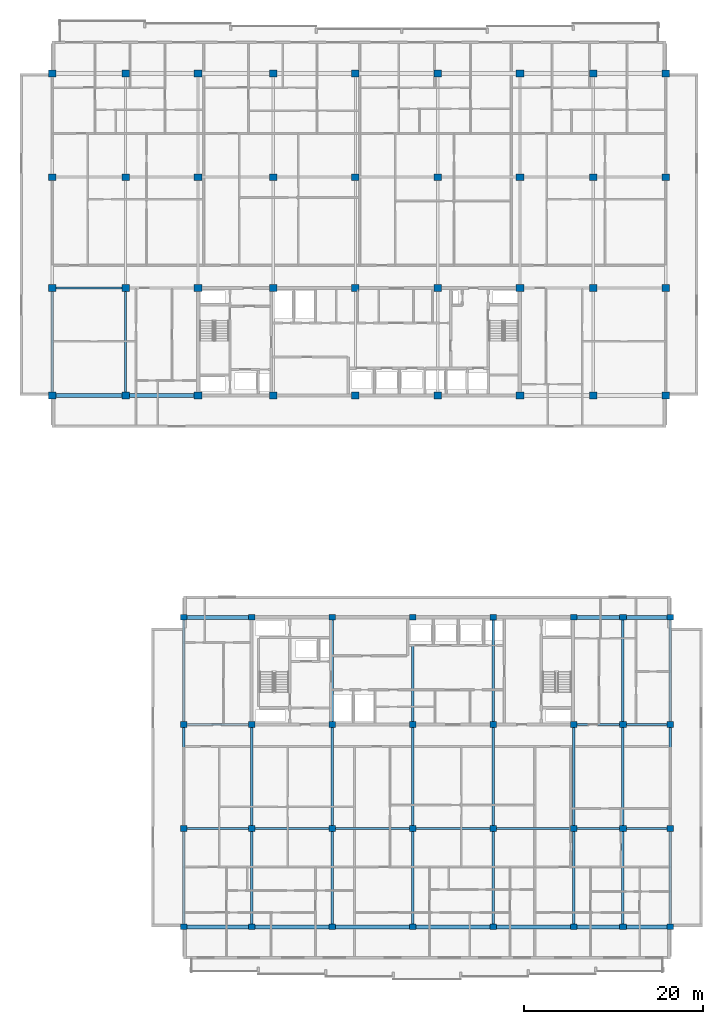
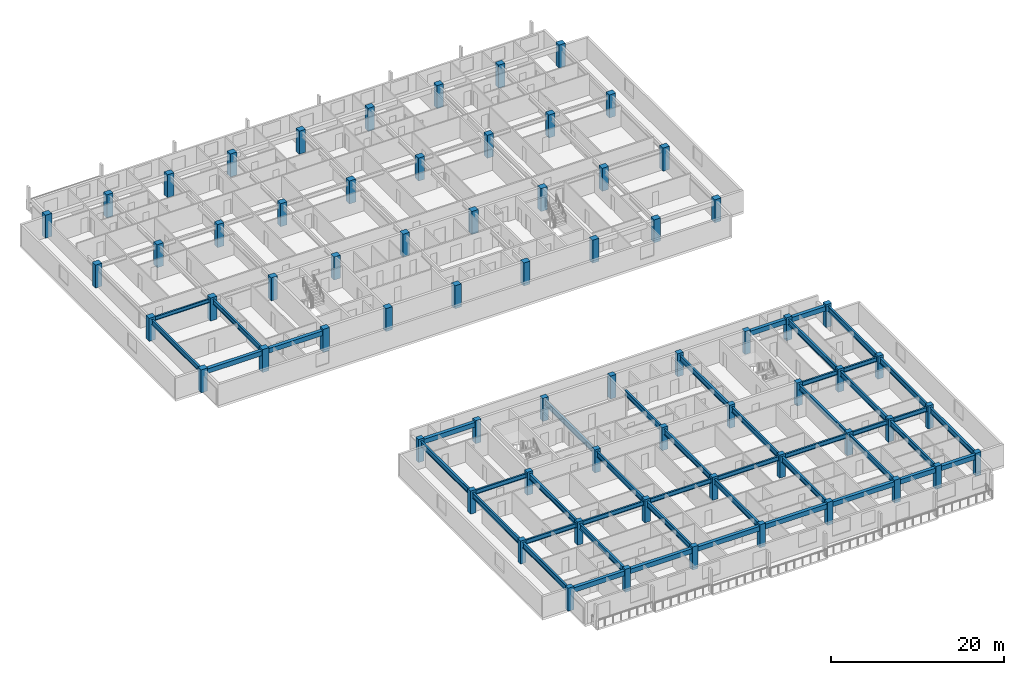
# One storey, part 1 of 23: 68 columns, 47 beams.
"""IFC4 building model written with IfcOpenShell, lengths in metres."""

from ifc_helpers import new_model, si_unit, direction, frame, origin, origin_2d, place, context, subcontext, project, spatial, rectangle, i_section, extrude, material, material_profile, profile_set, type_object, element, save


model = new_model("IFC4")

# Units and contexts
model_context = context("Model", 3, precision=1e-05, world=origin(), true_north=direction((0.0, 1.0)))
body_context = subcontext(model_context, "Body", "Model", "MODEL_VIEW")
ifc_project = project(units=[si_unit("LENGTHUNIT", "METRE"), si_unit("AREAUNIT", "SQUARE_METRE"), si_unit("VOLUMEUNIT", "CUBIC_METRE"), si_unit("PLANEANGLEUNIT", "RADIAN"), si_unit("MASSUNIT", "GRAM", prefix="KILO")], contexts=[model_context])

# Site, building, storey
site_placement = place(None, origin())
site = spatial("IfcSite", under=ifc_project, at=site_placement, CompositionType="ELEMENT")
building_placement = place(site_placement, origin())
building = spatial("IfcBuilding", under=site, at=building_placement, Name="Korimba Cascade Residences", CompositionType="ELEMENT")
storey_placement = place(building_placement, frame((0.0, 0.0, 162.10009765625)))
storey = spatial("IfcBuildingStorey", under=building, at=storey_placement, Name="L46", CompositionType="ELEMENT", Elevation=162.10009765625)

# Columns
ifc_material_1 = material(Name="Concrete C50/60", Category="concrete")
ifc_material_profile_1 = material_profile(ifc_material_1, rectangle(XDim=0.75, YDim=0.64990234375, at=origin_2d()), Name="Concrete C50/60")
ifc_profile_set_1 = profile_set([ifc_material_profile_1], Name="Concrete C50/60")
column_type_1 = type_object("IfcColumnType", Name="COL-RC-750", PredefinedType="COLUMN", material=ifc_profile_set_1)
for number, where, z_axis, x_axis, name in (
    (1, (74.5, -4.199951171875, 0.0), (0.0, 0.0, 1.0), (1.0, 0.0, 0.0), "L46 Tower 2 Column 1.1"),
    (2, (74.5, 6.800048828125, 0.0), (0.0, 0.0, 1.0), (1.0, 0.0, 0.0), "L46 Tower 2 Column 1.2"),
    (3, (74.5, 18.39990234375, 0.0), (0.0, 0.0, 1.0), (1.0, 0.0, 0.0), "L46 Tower 2 Column 1.3"),
    (4, (74.5, 30.39990234375, 0.0), (0.0, 0.0, 1.0), (1.0, 0.0, 0.0), "L46 Tower 2 Column 1.4"),
    (5, (82.10009765625, -4.199951171875, 0.0), (0.0, 0.0, 1.0), (1.0, 0.0, 0.0), "L46 Tower 2 Column 2.1"),
    (6, (82.10009765625, 6.800048828125, 0.0), (0.0, 0.0, 1.0), (1.0, 0.0, 0.0), "L46 Tower 2 Column 2.2"),
    (7, (82.10009765625, 18.39990234375, 0.0), (0.0, 0.0, 1.0), (1.0, 0.0, 0.0), "L46 Tower 2 Column 2.3"),
    (8, (82.10009765625, 30.39990234375, 0.0), (0.0, 0.0, 1.0), (1.0, 0.0, 0.0), "L46 Tower 2 Column 2.4"),
    (9, (91.10009765625, -4.199951171875, 0.0), (0.0, 0.0, 1.0), (1.0, 0.0, 0.0), "L46 Tower 2 Column 3.1"),
    (10, (91.10009765625, 6.800048828125, 0.0), (0.0, 0.0, 1.0), (1.0, 0.0, 0.0), "L46 Tower 2 Column 3.2"),
    (11, (91.10009765625, 18.39990234375, 0.0), (0.0, 0.0, 1.0), (1.0, 0.0, 0.0), "L46 Tower 2 Column 3.3"),
    (12, (91.10009765625, 30.39990234375, 0.0), (0.0, 0.0, 1.0), (1.0, 0.0, 0.0), "L46 Tower 2 Column 3.4"),
    (13, (100.10009765625, -4.199951171875, 0.0), (0.0, 0.0, 1.0), (1.0, 0.0, 0.0), "L46 Tower 2 Column 4.1"),
    (14, (100.10009765625, 6.800048828125, 0.0), (0.0, 0.0, 1.0), (1.0, 0.0, 0.0), "L46 Tower 2 Column 4.2"),
    (15, (100.10009765625, 18.39990234375, 0.0), (0.0, 0.0, 1.0), (1.0, 0.0, 0.0), "L46 Tower 2 Column 4.3"),
    (16, (100.10009765625, 30.39990234375, 0.0), (0.0, 0.0, 1.0), (1.0, 0.0, 0.0), "L46 Tower 2 Column 4.4"),
    (17, (109.10009765625, -4.199951171875, 0.0), (0.0, 0.0, 1.0), (1.0, 0.0, 0.0), "L46 Tower 2 Column 5.1"),
    (18, (109.10009765625, 6.800048828125, 0.0), (0.0, 0.0, 1.0), (1.0, 0.0, 0.0), "L46 Tower 2 Column 5.2"),
    (19, (109.10009765625, 18.39990234375, 0.0), (0.0, 0.0, 1.0), (1.0, 0.0, 0.0), "L46 Tower 2 Column 5.3"),
    (20, (109.10009765625, 30.39990234375, 0.0), (0.0, 0.0, 1.0), (1.0, 0.0, 0.0), "L46 Tower 2 Column 5.4"),
    (21, (118.10009765625, -4.199951171875, 0.0), (0.0, 0.0, 1.0), (1.0, 0.0, 0.0), "L46 Tower 2 Column 6.1"),
    (22, (118.10009765625, 6.800048828125, 0.0), (0.0, 0.0, 1.0), (1.0, 0.0, 0.0), "L46 Tower 2 Column 6.2"),
    (23, (118.10009765625, 18.39990234375, 0.0), (0.0, 0.0, 1.0), (1.0, 0.0, 0.0), "L46 Tower 2 Column 6.3"),
    (24, (118.10009765625, 30.39990234375, 0.0), (0.0, 0.0, 1.0), (1.0, 0.0, 0.0), "L46 Tower 2 Column 6.4"),
    (25, (123.60009765625, -4.199951171875, 0.0), (0.0, 0.0, 1.0), (1.0, 0.0, 0.0), "L46 Tower 2 Column 7.1"),
    (26, (123.60009765625, 6.800048828125, 0.0), (0.0, 0.0, 1.0), (1.0, 0.0, 0.0), "L46 Tower 2 Column 7.2"),
    (27, (123.60009765625, 18.39990234375, 0.0), (0.0, 0.0, 1.0), (1.0, 0.0, 0.0), "L46 Tower 2 Column 7.3"),
    (28, (123.60009765625, 30.39990234375, 0.0), (0.0, 0.0, 1.0), (1.0, 0.0, 0.0), "L46 Tower 2 Column 7.4"),
    (29, (128.89990234375, -4.199951171875, 0.0), (0.0, 0.0, 1.0), (1.0, 0.0, 0.0), "L46 Tower 2 Column 8.1"),
    (30, (128.89990234375, 6.800048828125, 0.0), (0.0, 0.0, 1.0), (1.0, 0.0, 0.0), "L46 Tower 2 Column 8.2"),
    (31, (128.89990234375, 18.39990234375, 0.0), (0.0, 0.0, 1.0), (1.0, 0.0, 0.0), "L46 Tower 2 Column 8.3"),
    (32, (128.89990234375, 30.39990234375, 0.0), (0.0, 0.0, 1.0), (1.0, 0.0, 0.0), "L46 Tower 2 Column 8.4"),
):
    element("IfcColumn", number, at=place(storey_placement, frame(where, z_axis=z_axis, x_axis=x_axis)), inside=storey, type_object=column_type_1, Name=name, PredefinedType="COLUMN", context=body_context, shape_type="SweptSolid", body=[
        extrude(rectangle(XDim=0.75, YDim=0.64990234375, at=origin_2d()), origin(), (0.0, 0.0, 1.0), 3.25),
    ])
ifc_material_2 = material(Name="Concrete C65/80", Category="concrete")
ifc_material_profile_2 = material_profile(ifc_material_2, rectangle(XDim=0.85009765625, YDim=0.75, at=origin_2d()), Name="Concrete C65/80")
ifc_profile_set_2 = profile_set([ifc_material_profile_2], Name="Concrete C65/80")
column_type_2 = type_object("IfcColumnType", Name="COL-RC-850", PredefinedType="COLUMN", material=ifc_profile_set_2)
for number, where, z_axis, x_axis, name in (
    (33, (59.800048828125, 55.199951171875, 0.0), (0.0, 0.0, 1.0), (1.0, 0.0, 0.0), "L46 Tower 1 Column 1.1"),
    (34, (59.800048828125, 67.199951171875, 0.0), (0.0, 0.0, 1.0), (1.0, 0.0, 0.0), "L46 Tower 1 Column 1.2"),
    (35, (59.800048828125, 79.60009765625, 0.0), (0.0, 0.0, 1.0), (1.0, 0.0, 0.0), "L46 Tower 1 Column 1.3"),
    (36, (59.800048828125, 91.199951171875, 0.0), (0.0, 0.0, 1.0), (1.0, 0.0, 0.0), "L46 Tower 1 Column 1.4"),
    (37, (68.0, 55.199951171875, 0.0), (0.0, 0.0, 1.0), (1.0, 0.0, 0.0), "L46 Tower 1 Column 2.1"),
    (38, (68.0, 67.199951171875, 0.0), (0.0, 0.0, 1.0), (1.0, 0.0, 0.0), "L46 Tower 1 Column 2.2"),
    (39, (68.0, 79.60009765625, 0.0), (0.0, 0.0, 1.0), (1.0, 0.0, 0.0), "L46 Tower 1 Column 2.3"),
    (40, (68.0, 91.199951171875, 0.0), (0.0, 0.0, 1.0), (1.0, 0.0, 0.0), "L46 Tower 1 Column 2.4"),
    (41, (76.10009765625, 55.199951171875, 0.0), (0.0, 0.0, 1.0), (1.0, 0.0, 0.0), "L46 Tower 1 Column 3.1"),
    (42, (76.10009765625, 67.199951171875, 0.0), (0.0, 0.0, 1.0), (1.0, 0.0, 0.0), "L46 Tower 1 Column 3.2"),
    (43, (76.10009765625, 79.60009765625, 0.0), (0.0, 0.0, 1.0), (1.0, 0.0, 0.0), "L46 Tower 1 Column 3.3"),
    (44, (76.10009765625, 91.199951171875, 0.0), (0.0, 0.0, 1.0), (1.0, 0.0, 0.0), "L46 Tower 1 Column 3.4"),
    (45, (84.5, 55.199951171875, 0.0), (0.0, 0.0, 1.0), (1.0, 0.0, 0.0), "L46 Tower 1 Column 4.1"),
    (46, (84.5, 67.199951171875, 0.0), (0.0, 0.0, 1.0), (1.0, 0.0, 0.0), "L46 Tower 1 Column 4.2"),
    (47, (84.5, 79.60009765625, 0.0), (0.0, 0.0, 1.0), (1.0, 0.0, 0.0), "L46 Tower 1 Column 4.3"),
    (48, (84.5, 91.199951171875, 0.0), (0.0, 0.0, 1.0), (1.0, 0.0, 0.0), "L46 Tower 1 Column 4.4"),
    (49, (93.699951171875, 55.199951171875, 0.0), (0.0, 0.0, 1.0), (1.0, 0.0, 0.0), "L46 Tower 1 Column 5.1"),
    (50, (93.699951171875, 67.199951171875, 0.0), (0.0, 0.0, 1.0), (1.0, 0.0, 0.0), "L46 Tower 1 Column 5.2"),
    (51, (93.699951171875, 79.60009765625, 0.0), (0.0, 0.0, 1.0), (1.0, 0.0, 0.0), "L46 Tower 1 Column 5.3"),
    (52, (93.699951171875, 91.199951171875, 0.0), (0.0, 0.0, 1.0), (1.0, 0.0, 0.0), "L46 Tower 1 Column 5.4"),
    (53, (102.89990234375, 55.199951171875, 0.0), (0.0, 0.0, 1.0), (1.0, 0.0, 0.0), "L46 Tower 1 Column 6.1"),
    (54, (102.89990234375, 67.199951171875, 0.0), (0.0, 0.0, 1.0), (1.0, 0.0, 0.0), "L46 Tower 1 Column 6.2"),
    (55, (102.89990234375, 79.60009765625, 0.0), (0.0, 0.0, 1.0), (1.0, 0.0, 0.0), "L46 Tower 1 Column 6.3"),
    (56, (102.89990234375, 91.199951171875, 0.0), (0.0, 0.0, 1.0), (1.0, 0.0, 0.0), "L46 Tower 1 Column 6.4"),
    (57, (112.10009765625, 55.199951171875, 0.0), (0.0, 0.0, 1.0), (1.0, 0.0, 0.0), "L46 Tower 1 Column 7.1"),
    (58, (112.10009765625, 67.199951171875, 0.0), (0.0, 0.0, 1.0), (1.0, 0.0, 0.0), "L46 Tower 1 Column 7.2"),
    (59, (112.10009765625, 79.60009765625, 0.0), (0.0, 0.0, 1.0), (1.0, 0.0, 0.0), "L46 Tower 1 Column 7.3"),
    (60, (112.10009765625, 91.199951171875, 0.0), (0.0, 0.0, 1.0), (1.0, 0.0, 0.0), "L46 Tower 1 Column 7.4"),
    (61, (120.300048828125, 55.199951171875, 0.0), (0.0, 0.0, 1.0), (1.0, 0.0, 0.0), "L46 Tower 1 Column 8.1"),
    (62, (120.300048828125, 67.199951171875, 0.0), (0.0, 0.0, 1.0), (1.0, 0.0, 0.0), "L46 Tower 1 Column 8.2"),
    (63, (120.300048828125, 79.60009765625, 0.0), (0.0, 0.0, 1.0), (1.0, 0.0, 0.0), "L46 Tower 1 Column 8.3"),
    (64, (120.300048828125, 91.199951171875, 0.0), (0.0, 0.0, 1.0), (1.0, 0.0, 0.0), "L46 Tower 1 Column 8.4"),
    (65, (128.39990234375, 55.199951171875, 0.0), (0.0, 0.0, 1.0), (1.0, 0.0, 0.0), "L46 Tower 1 Column 9.1"),
    (66, (128.39990234375, 67.199951171875, 0.0), (0.0, 0.0, 1.0), (1.0, 0.0, 0.0), "L46 Tower 1 Column 9.2"),
    (67, (128.39990234375, 79.60009765625, 0.0), (0.0, 0.0, 1.0), (1.0, 0.0, 0.0), "L46 Tower 1 Column 9.3"),
    (68, (128.39990234375, 91.199951171875, 0.0), (0.0, 0.0, 1.0), (1.0, 0.0, 0.0), "L46 Tower 1 Column 9.4"),
):
    element("IfcColumn", number, at=place(storey_placement, frame(where, z_axis=z_axis, x_axis=x_axis)), inside=storey, type_object=column_type_2, Name=name, PredefinedType="COLUMN", context=body_context, shape_type="SweptSolid", body=[
        extrude(rectangle(XDim=0.85009765625, YDim=0.75, at=origin_2d()), origin(), (0.0, 0.0, 1.0), 3.25),
    ])

# Beams
ifc_material_3 = material(Name="Precast concrete C40/50", Category="concrete")
ifc_material_profile_3 = material_profile(ifc_material_3, rectangle(XDim=0.449951171875, YDim=0.64990234375, at=origin_2d()), Name="Precast concrete C40/50")
ifc_profile_set_3 = profile_set([ifc_material_profile_3], Name="Precast concrete C40/50")
beam_type_1 = type_object("IfcBeamType", Name="BM-RC-SP650", PredefinedType="SPANDREL", material=ifc_profile_set_3)
beam_1_placement = place(storey_placement, frame((60.22509765625, 55.199951171875, 2.64501953125), z_axis=(1.0, 0.0, 0.0), x_axis=(0.0, 1.0, 0.0)))
element("IfcBeam", 69, at=beam_1_placement, inside=storey, type_object=beam_type_1, Name="L46 T1 E-W Girder Y1 Bay 1", PredefinedType="SPANDREL", context=body_context, shape_type="SweptSolid", body=[
    extrude(rectangle(XDim=0.449951171875, YDim=0.64990234375, at=origin_2d()), origin(), (0.0, 0.0, 1.0), 7.349853515625),
])
beam_2_placement = place(storey_placement, frame((68.425048828125, 55.199951171875, 2.64501953125), z_axis=(1.0, 0.0, 0.0), x_axis=(0.0, 1.0, 0.0)))
element("IfcBeam", 70, at=beam_2_placement, inside=storey, type_object=beam_type_1, Name="L46 T1 E-W Girder Y1 Bay 2", PredefinedType="SPANDREL", context=body_context, shape_type="SweptSolid", body=[
    extrude(rectangle(XDim=0.449951171875, YDim=0.64990234375, at=origin_2d()), origin(), (0.0, 0.0, 1.0), 7.25),
])
beam_3_placement = place(storey_placement, frame((74.875, -4.199951171875, 2.64501953125), z_axis=(1.0, 0.0, 0.0), x_axis=(0.0, 1.0, 0.0)))
element("IfcBeam", 71, at=beam_3_placement, inside=storey, type_object=beam_type_1, Name="L46 T2 E-W Girder Y1 Bay 1", PredefinedType="SPANDREL", context=body_context, shape_type="SweptSolid", body=[
    extrude(rectangle(XDim=0.449951171875, YDim=0.64990234375, at=origin_2d()), origin(), (0.0, 0.0, 1.0), 6.85009765625),
])
for number, where, z_axis, x_axis, name in (
    (72, (82.47509765625, -4.199951171875, 2.64501953125), (1.0, 0.0, 0.0), (0.0, 1.0, 0.0), "L46 T2 E-W Girder Y1 Bay 2"),
    (73, (91.47509765625, -4.199951171875, 2.64501953125), (1.0, 0.0, 0.0), (0.0, 1.0, 0.0), "L46 T2 E-W Girder Y1 Bay 3"),
    (74, (100.47509765625, -4.199951171875, 2.64501953125), (1.0, 0.0, 0.0), (0.0, 1.0, 0.0), "L46 T2 E-W Girder Y1 Bay 4"),
    (75, (109.47509765625, -4.199951171875, 2.64501953125), (1.0, 0.0, 0.0), (0.0, 1.0, 0.0), "L46 T2 E-W Girder Y1 Bay 5"),
):
    element("IfcBeam", number, at=place(storey_placement, frame(where, z_axis=z_axis, x_axis=x_axis)), inside=storey, type_object=beam_type_1, Name=name, PredefinedType="SPANDREL", context=body_context, shape_type="SweptSolid", body=[
        extrude(rectangle(XDim=0.449951171875, YDim=0.64990234375, at=origin_2d()), origin(), (0.0, 0.0, 1.0), 8.25),
    ])
beam_4_placement = place(storey_placement, frame((118.47509765625, -4.199951171875, 2.64501953125), z_axis=(1.0, 0.0, 0.0), x_axis=(0.0, 1.0, 0.0)))
element("IfcBeam", 76, at=beam_4_placement, inside=storey, type_object=beam_type_1, Name="L46 T2 E-W Girder Y1 Bay 6", PredefinedType="SPANDREL", context=body_context, shape_type="SweptSolid", body=[
    extrude(rectangle(XDim=0.449951171875, YDim=0.64990234375, at=origin_2d()), origin(), (0.0, 0.0, 1.0), 4.75),
])
beam_5_placement = place(storey_placement, frame((123.97509765625, -4.199951171875, 2.64501953125), z_axis=(1.0, 0.0, 0.0), x_axis=(0.0, 1.0, 0.0)))
element("IfcBeam", 77, at=beam_5_placement, inside=storey, type_object=beam_type_1, Name="L46 T2 E-W Girder Y1 Bay 7", PredefinedType="SPANDREL", context=body_context, shape_type="SweptSolid", body=[
    extrude(rectangle(XDim=0.449951171875, YDim=0.64990234375, at=origin_2d()), origin(), (0.0, 0.0, 1.0), 4.5498046875),
])
beam_6_placement = place(storey_placement, frame((74.875, 30.39990234375, 2.64501953125), z_axis=(1.0, 0.0, 0.0), x_axis=(0.0, 1.0, 0.0)))
element("IfcBeam", 78, at=beam_6_placement, inside=storey, type_object=beam_type_1, Name="L46 T2 E-W Girder Y4 Bay 1", PredefinedType="SPANDREL", context=body_context, shape_type="SweptSolid", body=[
    extrude(rectangle(XDim=0.449951171875, YDim=0.64990234375, at=origin_2d()), origin(), (0.0, 0.0, 1.0), 6.85009765625),
])
beam_7_placement = place(storey_placement, frame((118.47509765625, 30.39990234375, 2.64501953125), z_axis=(1.0, 0.0, 0.0), x_axis=(0.0, 1.0, 0.0)))
element("IfcBeam", 79, at=beam_7_placement, inside=storey, type_object=beam_type_1, Name="L46 T2 E-W Girder Y4 Bay 6", PredefinedType="SPANDREL", context=body_context, shape_type="SweptSolid", body=[
    extrude(rectangle(XDim=0.449951171875, YDim=0.64990234375, at=origin_2d()), origin(), (0.0, 0.0, 1.0), 4.75),
])
beam_8_placement = place(storey_placement, frame((123.97509765625, 30.39990234375, 2.64501953125), z_axis=(1.0, 0.0, 0.0), x_axis=(0.0, 1.0, 0.0)))
element("IfcBeam", 80, at=beam_8_placement, inside=storey, type_object=beam_type_1, Name="L46 T2 E-W Girder Y4 Bay 7", PredefinedType="SPANDREL", context=body_context, shape_type="SweptSolid", body=[
    extrude(rectangle(XDim=0.449951171875, YDim=0.64990234375, at=origin_2d()), origin(), (0.0, 0.0, 1.0), 4.5498046875),
])
ifc_material_4 = material(Name="Steel S355", Category="steel")
ifc_material_profile_4 = material_profile(ifc_material_4, i_section(OverallWidth=0.2099609375, OverallDepth=0.53662109375, WebThickness=0.0107421875, FlangeThickness=0.017333984375, FilletRadius=0.0126953125, at=origin_2d()), Name="Steel S355")
ifc_profile_set_4 = profile_set([ifc_material_profile_4], Name="Steel S355")
beam_type_2 = type_object("IfcBeamType", Name="BM-STL-UB533", PredefinedType="BEAM", material=ifc_profile_set_4)
beam_9_placement = place(storey_placement, frame((60.22509765625, 67.199951171875, 2.701416015625), z_axis=(1.0, 0.0, 0.0), x_axis=(0.0, 1.0, 0.0)))
element("IfcBeam", 81, at=beam_9_placement, inside=storey, type_object=beam_type_2, Name="L46 T1 E-W Girder Y2 Bay 1", PredefinedType="BEAM", context=body_context, shape_type="SweptSolid", body=[
    extrude(i_section(OverallWidth=0.2099609375, OverallDepth=0.53662109375, WebThickness=0.0107421875, FlangeThickness=0.017333984375, FilletRadius=0.0126953125, at=origin_2d()), origin(), (0.0, 0.0, 1.0), 7.349853515625),
])
ifc_material_profile_5 = material_profile(ifc_material_4, i_section(OverallWidth=0.22900390625, OverallDepth=0.6123046875, WebThickness=0.011962890625, FlangeThickness=0.01953125, FilletRadius=0.0126953125, at=origin_2d()), Name="Steel S355")
ifc_profile_set_5 = profile_set([ifc_material_profile_5], Name="Steel S355")
beam_type_3 = type_object("IfcBeamType", Name="BM-STL-UB610B", PredefinedType="BEAM", material=ifc_profile_set_5)
beam_10_placement = place(storey_placement, frame((74.875, 6.800048828125, 2.663818359375), z_axis=(1.0, 0.0, 0.0), x_axis=(0.0, 1.0, 0.0)))
element("IfcBeam", 82, at=beam_10_placement, inside=storey, type_object=beam_type_3, Name="L46 T2 E-W Girder Y2 Bay 1", PredefinedType="BEAM", context=body_context, shape_type="SweptSolid", body=[
    extrude(i_section(OverallWidth=0.22900390625, OverallDepth=0.6123046875, WebThickness=0.011962890625, FlangeThickness=0.01953125, FilletRadius=0.0126953125, at=origin_2d()), origin(), (0.0, 0.0, 1.0), 6.85009765625),
])
for number, where, z_axis, x_axis, name in (
    (83, (82.47509765625, 6.800048828125, 2.663818359375), (1.0, 0.0, 0.0), (0.0, 1.0, 0.0), "L46 T2 E-W Girder Y2 Bay 2"),
    (84, (91.47509765625, 6.800048828125, 2.663818359375), (1.0, 0.0, 0.0), (0.0, 1.0, 0.0), "L46 T2 E-W Girder Y2 Bay 3"),
    (85, (100.47509765625, 6.800048828125, 2.663818359375), (1.0, 0.0, 0.0), (0.0, 1.0, 0.0), "L46 T2 E-W Girder Y2 Bay 4"),
    (86, (109.47509765625, 6.800048828125, 2.663818359375), (1.0, 0.0, 0.0), (0.0, 1.0, 0.0), "L46 T2 E-W Girder Y2 Bay 5"),
):
    element("IfcBeam", number, at=place(storey_placement, frame(where, z_axis=z_axis, x_axis=x_axis)), inside=storey, type_object=beam_type_3, Name=name, PredefinedType="BEAM", context=body_context, shape_type="SweptSolid", body=[
        extrude(i_section(OverallWidth=0.22900390625, OverallDepth=0.6123046875, WebThickness=0.011962890625, FlangeThickness=0.01953125, FilletRadius=0.0126953125, at=origin_2d()), origin(), (0.0, 0.0, 1.0), 8.25),
    ])
beam_11_placement = place(storey_placement, frame((118.47509765625, 6.800048828125, 2.663818359375), z_axis=(1.0, 0.0, 0.0), x_axis=(0.0, 1.0, 0.0)))
element("IfcBeam", 87, at=beam_11_placement, inside=storey, type_object=beam_type_3, Name="L46 T2 E-W Girder Y2 Bay 6", PredefinedType="BEAM", context=body_context, shape_type="SweptSolid", body=[
    extrude(i_section(OverallWidth=0.22900390625, OverallDepth=0.6123046875, WebThickness=0.011962890625, FlangeThickness=0.01953125, FilletRadius=0.0126953125, at=origin_2d()), origin(), (0.0, 0.0, 1.0), 4.75),
])
beam_12_placement = place(storey_placement, frame((123.97509765625, 6.800048828125, 2.663818359375), z_axis=(1.0, 0.0, 0.0), x_axis=(0.0, 1.0, 0.0)))
element("IfcBeam", 88, at=beam_12_placement, inside=storey, type_object=beam_type_3, Name="L46 T2 E-W Girder Y2 Bay 7", PredefinedType="BEAM", context=body_context, shape_type="SweptSolid", body=[
    extrude(i_section(OverallWidth=0.22900390625, OverallDepth=0.6123046875, WebThickness=0.011962890625, FlangeThickness=0.01953125, FilletRadius=0.0126953125, at=origin_2d()), origin(), (0.0, 0.0, 1.0), 4.5498046875),
])
beam_13_placement = place(storey_placement, frame((74.875, 18.39990234375, 2.663818359375), z_axis=(1.0, 0.0, 0.0), x_axis=(0.0, 1.0, 0.0)))
element("IfcBeam", 89, at=beam_13_placement, inside=storey, type_object=beam_type_3, Name="L46 T2 E-W Girder Y3 Bay 1", PredefinedType="BEAM", context=body_context, shape_type="SweptSolid", body=[
    extrude(i_section(OverallWidth=0.22900390625, OverallDepth=0.6123046875, WebThickness=0.011962890625, FlangeThickness=0.01953125, FilletRadius=0.0126953125, at=origin_2d()), origin(), (0.0, 0.0, 1.0), 6.85009765625),
])
beam_14_placement = place(storey_placement, frame((118.47509765625, 18.39990234375, 2.663818359375), z_axis=(1.0, 0.0, 0.0), x_axis=(0.0, 1.0, 0.0)))
element("IfcBeam", 90, at=beam_14_placement, inside=storey, type_object=beam_type_3, Name="L46 T2 E-W Girder Y3 Bay 6", PredefinedType="BEAM", context=body_context, shape_type="SweptSolid", body=[
    extrude(i_section(OverallWidth=0.22900390625, OverallDepth=0.6123046875, WebThickness=0.011962890625, FlangeThickness=0.01953125, FilletRadius=0.0126953125, at=origin_2d()), origin(), (0.0, 0.0, 1.0), 4.75),
])
beam_15_placement = place(storey_placement, frame((123.97509765625, 18.39990234375, 2.663818359375), z_axis=(1.0, 0.0, 0.0), x_axis=(0.0, 1.0, 0.0)))
element("IfcBeam", 91, at=beam_15_placement, inside=storey, type_object=beam_type_3, Name="L46 T2 E-W Girder Y3 Bay 7", PredefinedType="BEAM", context=body_context, shape_type="SweptSolid", body=[
    extrude(i_section(OverallWidth=0.22900390625, OverallDepth=0.6123046875, WebThickness=0.011962890625, FlangeThickness=0.01953125, FilletRadius=0.0126953125, at=origin_2d()), origin(), (0.0, 0.0, 1.0), 4.5498046875),
])
ifc_material_profile_6 = material_profile(ifc_material_4, i_section(OverallWidth=0.255859375, OverallDepth=0.69287109375, WebThickness=0.014404296875, FlangeThickness=0.023681640625, FilletRadius=0.01513671875, at=origin_2d()), Name="Steel S355")
ifc_profile_set_6 = profile_set([ifc_material_profile_6], Name="Steel S355")
beam_type_4 = type_object("IfcBeamType", Name="BM-STL-UB686", PredefinedType="BEAM", material=ifc_profile_set_6)
for number, where, z_axis, x_axis, name in (
    (92, (59.800048828125, 55.574951171875, 2.623291015625), (0.0, 1.0, 0.0), (-1.0, 0.0, 0.0), "L46 T1 N-S Girder X1 Seg 1"),
    (93, (68.0, 55.574951171875, 2.623291015625), (0.0, 1.0, 0.0), (-1.0, 0.0, 0.0), "L46 T1 N-S Girder X2 Seg 1"),
):
    element("IfcBeam", number, at=place(storey_placement, frame(where, z_axis=z_axis, x_axis=x_axis)), inside=storey, type_object=beam_type_4, Name=name, PredefinedType="BEAM", context=body_context, shape_type="SweptSolid", body=[
        extrude(i_section(OverallWidth=0.255859375, OverallDepth=0.69287109375, WebThickness=0.014404296875, FlangeThickness=0.023681640625, FilletRadius=0.01513671875, at=origin_2d()), origin(), (0.0, 0.0, 1.0), 11.25),
    ])
ifc_material_profile_7 = material_profile(ifc_material_4, i_section(OverallWidth=0.26806640625, OverallDepth=0.769775390625, WebThickness=0.015625, FlangeThickness=0.025390625, FilletRadius=0.0166015625, at=origin_2d()), Name="Steel S355")
ifc_profile_set_7 = profile_set([ifc_material_profile_7], Name="Steel S355")
beam_type_5 = type_object("IfcBeamType", Name="BM-STL-UB762", PredefinedType="BEAM", material=ifc_profile_set_7)
beam_16_placement = place(storey_placement, frame((74.5, -3.875, 2.5849609375), z_axis=(0.0, 1.0, 0.0), x_axis=(-1.0, 0.0, 0.0)))
element("IfcBeam", 94, at=beam_16_placement, inside=storey, type_object=beam_type_5, Name="L46 T2 N-S Girder X1 Seg 1", PredefinedType="BEAM", context=body_context, shape_type="SweptSolid", body=[
    extrude(i_section(OverallWidth=0.26806640625, OverallDepth=0.769775390625, WebThickness=0.015625, FlangeThickness=0.025390625, FilletRadius=0.0166015625, at=origin_2d()), origin(), (0.0, 0.0, 1.0), 10.35009765625),
])
beam_17_placement = place(storey_placement, frame((74.5, 7.125, 2.5849609375), z_axis=(0.0, 1.0, 0.0), x_axis=(-1.0, 0.0, 0.0)))
element("IfcBeam", 95, at=beam_17_placement, inside=storey, type_object=beam_type_5, Name="L46 T2 N-S Girder X1 Seg 2", PredefinedType="BEAM", context=body_context, shape_type="SweptSolid", body=[
    extrude(i_section(OverallWidth=0.26806640625, OverallDepth=0.769775390625, WebThickness=0.015625, FlangeThickness=0.025390625, FilletRadius=0.0166015625, at=origin_2d()), origin(), (0.0, 0.0, 1.0), 10.949951171875),
])
beam_18_placement = place(storey_placement, frame((74.5, 18.72509765625, 2.5849609375), z_axis=(0.0, 1.0, 0.0), x_axis=(-1.0, 0.0, 0.0)))
element("IfcBeam", 96, at=beam_18_placement, inside=storey, type_object=beam_type_5, Name="L46 T2 N-S Girder X1 Seg 3", PredefinedType="BEAM", context=body_context, shape_type="SweptSolid", body=[
    extrude(i_section(OverallWidth=0.26806640625, OverallDepth=0.769775390625, WebThickness=0.015625, FlangeThickness=0.025390625, FilletRadius=0.0166015625, at=origin_2d()), origin(), (0.0, 0.0, 1.0), 11.349853515625),
])
beam_19_placement = place(storey_placement, frame((82.10009765625, -3.875, 2.5849609375), z_axis=(0.0, 1.0, 0.0), x_axis=(-1.0, 0.0, 0.0)))
element("IfcBeam", 97, at=beam_19_placement, inside=storey, type_object=beam_type_5, Name="L46 T2 N-S Girder X2 Seg 1", PredefinedType="BEAM", context=body_context, shape_type="SweptSolid", body=[
    extrude(i_section(OverallWidth=0.26806640625, OverallDepth=0.769775390625, WebThickness=0.015625, FlangeThickness=0.025390625, FilletRadius=0.0166015625, at=origin_2d()), origin(), (0.0, 0.0, 1.0), 10.35009765625),
])
beam_20_placement = place(storey_placement, frame((82.10009765625, 7.125, 2.5849609375), z_axis=(0.0, 1.0, 0.0), x_axis=(-1.0, 0.0, 0.0)))
element("IfcBeam", 98, at=beam_20_placement, inside=storey, type_object=beam_type_5, Name="L46 T2 N-S Girder X2 Seg 2", PredefinedType="BEAM", context=body_context, shape_type="SweptSolid", body=[
    extrude(i_section(OverallWidth=0.26806640625, OverallDepth=0.769775390625, WebThickness=0.015625, FlangeThickness=0.025390625, FilletRadius=0.0166015625, at=origin_2d()), origin(), (0.0, 0.0, 1.0), 10.949951171875),
])
beam_21_placement = place(storey_placement, frame((91.10009765625, -3.875, 2.5849609375), z_axis=(0.0, 1.0, 0.0), x_axis=(-1.0, 0.0, 0.0)))
element("IfcBeam", 99, at=beam_21_placement, inside=storey, type_object=beam_type_5, Name="L46 T2 N-S Girder X3 Seg 1", PredefinedType="BEAM", context=body_context, shape_type="SweptSolid", body=[
    extrude(i_section(OverallWidth=0.26806640625, OverallDepth=0.769775390625, WebThickness=0.015625, FlangeThickness=0.025390625, FilletRadius=0.0166015625, at=origin_2d()), origin(), (0.0, 0.0, 1.0), 10.35009765625),
])
beam_22_placement = place(storey_placement, frame((91.10009765625, 7.125, 2.5849609375), z_axis=(0.0, 1.0, 0.0), x_axis=(-1.0, 0.0, 0.0)))
element("IfcBeam", 100, at=beam_22_placement, inside=storey, type_object=beam_type_5, Name="L46 T2 N-S Girder X3 Seg 2", PredefinedType="BEAM", context=body_context, shape_type="SweptSolid", body=[
    extrude(i_section(OverallWidth=0.26806640625, OverallDepth=0.769775390625, WebThickness=0.015625, FlangeThickness=0.025390625, FilletRadius=0.0166015625, at=origin_2d()), origin(), (0.0, 0.0, 1.0), 10.949951171875),
])
beam_23_placement = place(storey_placement, frame((91.10009765625, 18.72509765625, 2.5849609375), z_axis=(0.0, 1.0, 0.0), x_axis=(-1.0, 0.0, 0.0)))
element("IfcBeam", 101, at=beam_23_placement, inside=storey, type_object=beam_type_5, Name="L46 T2 N-S Girder X3 Seg 3", PredefinedType="BEAM", context=body_context, shape_type="SweptSolid", body=[
    extrude(i_section(OverallWidth=0.26806640625, OverallDepth=0.769775390625, WebThickness=0.015625, FlangeThickness=0.025390625, FilletRadius=0.0166015625, at=origin_2d()), origin(), (0.0, 0.0, 1.0), 11.349853515625),
])
beam_24_placement = place(storey_placement, frame((100.10009765625, -3.875, 2.5849609375), z_axis=(0.0, 1.0, 0.0), x_axis=(-1.0, 0.0, 0.0)))
element("IfcBeam", 102, at=beam_24_placement, inside=storey, type_object=beam_type_5, Name="L46 T2 N-S Girder X4 Seg 1", PredefinedType="BEAM", context=body_context, shape_type="SweptSolid", body=[
    extrude(i_section(OverallWidth=0.26806640625, OverallDepth=0.769775390625, WebThickness=0.015625, FlangeThickness=0.025390625, FilletRadius=0.0166015625, at=origin_2d()), origin(), (0.0, 0.0, 1.0), 10.35009765625),
])
beam_25_placement = place(storey_placement, frame((100.10009765625, 7.125, 2.5849609375), z_axis=(0.0, 1.0, 0.0), x_axis=(-1.0, 0.0, 0.0)))
element("IfcBeam", 103, at=beam_25_placement, inside=storey, type_object=beam_type_5, Name="L46 T2 N-S Girder X4 Seg 2", PredefinedType="BEAM", context=body_context, shape_type="SweptSolid", body=[
    extrude(i_section(OverallWidth=0.26806640625, OverallDepth=0.769775390625, WebThickness=0.015625, FlangeThickness=0.025390625, FilletRadius=0.0166015625, at=origin_2d()), origin(), (0.0, 0.0, 1.0), 10.949951171875),
])
beam_26_placement = place(storey_placement, frame((100.10009765625, 18.72509765625, 2.5849609375), z_axis=(0.0, 1.0, 0.0), x_axis=(-1.0, 0.0, 0.0)))
element("IfcBeam", 104, at=beam_26_placement, inside=storey, type_object=beam_type_5, Name="L46 T2 N-S Girder X4 Seg 3", PredefinedType="BEAM", context=body_context, shape_type="SweptSolid", body=[
    extrude(i_section(OverallWidth=0.26806640625, OverallDepth=0.769775390625, WebThickness=0.015625, FlangeThickness=0.025390625, FilletRadius=0.0166015625, at=origin_2d()), origin(), (0.0, 0.0, 1.0), 8.614990234375),
])
beam_27_placement = place(storey_placement, frame((109.10009765625, -3.875, 2.5849609375), z_axis=(0.0, 1.0, 0.0), x_axis=(-1.0, 0.0, 0.0)))
element("IfcBeam", 105, at=beam_27_placement, inside=storey, type_object=beam_type_5, Name="L46 T2 N-S Girder X5 Seg 1", PredefinedType="BEAM", context=body_context, shape_type="SweptSolid", body=[
    extrude(i_section(OverallWidth=0.26806640625, OverallDepth=0.769775390625, WebThickness=0.015625, FlangeThickness=0.025390625, FilletRadius=0.0166015625, at=origin_2d()), origin(), (0.0, 0.0, 1.0), 10.35009765625),
])
beam_28_placement = place(storey_placement, frame((109.10009765625, 7.125, 2.5849609375), z_axis=(0.0, 1.0, 0.0), x_axis=(-1.0, 0.0, 0.0)))
element("IfcBeam", 106, at=beam_28_placement, inside=storey, type_object=beam_type_5, Name="L46 T2 N-S Girder X5 Seg 2", PredefinedType="BEAM", context=body_context, shape_type="SweptSolid", body=[
    extrude(i_section(OverallWidth=0.26806640625, OverallDepth=0.769775390625, WebThickness=0.015625, FlangeThickness=0.025390625, FilletRadius=0.0166015625, at=origin_2d()), origin(), (0.0, 0.0, 1.0), 10.949951171875),
])
beam_29_placement = place(storey_placement, frame((109.10009765625, 18.72509765625, 2.5849609375), z_axis=(0.0, 1.0, 0.0), x_axis=(-1.0, 0.0, 0.0)))
element("IfcBeam", 107, at=beam_29_placement, inside=storey, type_object=beam_type_5, Name="L46 T2 N-S Girder X5 Seg 3", PredefinedType="BEAM", context=body_context, shape_type="SweptSolid", body=[
    extrude(i_section(OverallWidth=0.26806640625, OverallDepth=0.769775390625, WebThickness=0.015625, FlangeThickness=0.025390625, FilletRadius=0.0166015625, at=origin_2d()), origin(), (0.0, 0.0, 1.0), 11.349853515625),
])
beam_30_placement = place(storey_placement, frame((118.10009765625, -3.875, 2.5849609375), z_axis=(0.0, 1.0, 0.0), x_axis=(-1.0, 0.0, 0.0)))
element("IfcBeam", 108, at=beam_30_placement, inside=storey, type_object=beam_type_5, Name="L46 T2 N-S Girder X6 Seg 1", PredefinedType="BEAM", context=body_context, shape_type="SweptSolid", body=[
    extrude(i_section(OverallWidth=0.26806640625, OverallDepth=0.769775390625, WebThickness=0.015625, FlangeThickness=0.025390625, FilletRadius=0.0166015625, at=origin_2d()), origin(), (0.0, 0.0, 1.0), 10.35009765625),
])
beam_31_placement = place(storey_placement, frame((118.10009765625, 7.125, 2.5849609375), z_axis=(0.0, 1.0, 0.0), x_axis=(-1.0, 0.0, 0.0)))
element("IfcBeam", 109, at=beam_31_placement, inside=storey, type_object=beam_type_5, Name="L46 T2 N-S Girder X6 Seg 2", PredefinedType="BEAM", context=body_context, shape_type="SweptSolid", body=[
    extrude(i_section(OverallWidth=0.26806640625, OverallDepth=0.769775390625, WebThickness=0.015625, FlangeThickness=0.025390625, FilletRadius=0.0166015625, at=origin_2d()), origin(), (0.0, 0.0, 1.0), 10.949951171875),
])
beam_32_placement = place(storey_placement, frame((123.60009765625, -3.875, 2.5849609375), z_axis=(0.0, 1.0, 0.0), x_axis=(-1.0, 0.0, 0.0)))
element("IfcBeam", 110, at=beam_32_placement, inside=storey, type_object=beam_type_5, Name="L46 T2 N-S Girder X7 Seg 1", PredefinedType="BEAM", context=body_context, shape_type="SweptSolid", body=[
    extrude(i_section(OverallWidth=0.26806640625, OverallDepth=0.769775390625, WebThickness=0.015625, FlangeThickness=0.025390625, FilletRadius=0.0166015625, at=origin_2d()), origin(), (0.0, 0.0, 1.0), 10.35009765625),
])
beam_33_placement = place(storey_placement, frame((123.60009765625, 7.125, 2.5849609375), z_axis=(0.0, 1.0, 0.0), x_axis=(-1.0, 0.0, 0.0)))
element("IfcBeam", 111, at=beam_33_placement, inside=storey, type_object=beam_type_5, Name="L46 T2 N-S Girder X7 Seg 2", PredefinedType="BEAM", context=body_context, shape_type="SweptSolid", body=[
    extrude(i_section(OverallWidth=0.26806640625, OverallDepth=0.769775390625, WebThickness=0.015625, FlangeThickness=0.025390625, FilletRadius=0.0166015625, at=origin_2d()), origin(), (0.0, 0.0, 1.0), 10.949951171875),
])
beam_34_placement = place(storey_placement, frame((123.60009765625, 18.72509765625, 2.5849609375), z_axis=(0.0, 1.0, 0.0), x_axis=(-1.0, 0.0, 0.0)))
element("IfcBeam", 112, at=beam_34_placement, inside=storey, type_object=beam_type_5, Name="L46 T2 N-S Girder X7 Seg 3", PredefinedType="BEAM", context=body_context, shape_type="SweptSolid", body=[
    extrude(i_section(OverallWidth=0.26806640625, OverallDepth=0.769775390625, WebThickness=0.015625, FlangeThickness=0.025390625, FilletRadius=0.0166015625, at=origin_2d()), origin(), (0.0, 0.0, 1.0), 11.349853515625),
])
beam_35_placement = place(storey_placement, frame((128.89990234375, -3.875, 2.5849609375), z_axis=(0.0, 1.0, 0.0), x_axis=(-1.0, 0.0, 0.0)))
element("IfcBeam", 113, at=beam_35_placement, inside=storey, type_object=beam_type_5, Name="L46 T2 N-S Girder X8 Seg 1", PredefinedType="BEAM", context=body_context, shape_type="SweptSolid", body=[
    extrude(i_section(OverallWidth=0.26806640625, OverallDepth=0.769775390625, WebThickness=0.015625, FlangeThickness=0.025390625, FilletRadius=0.0166015625, at=origin_2d()), origin(), (0.0, 0.0, 1.0), 10.35009765625),
])
beam_36_placement = place(storey_placement, frame((128.89990234375, 7.125, 2.5849609375), z_axis=(0.0, 1.0, 0.0), x_axis=(-1.0, 0.0, 0.0)))
element("IfcBeam", 114, at=beam_36_placement, inside=storey, type_object=beam_type_5, Name="L46 T2 N-S Girder X8 Seg 2", PredefinedType="BEAM", context=body_context, shape_type="SweptSolid", body=[
    extrude(i_section(OverallWidth=0.26806640625, OverallDepth=0.769775390625, WebThickness=0.015625, FlangeThickness=0.025390625, FilletRadius=0.0166015625, at=origin_2d()), origin(), (0.0, 0.0, 1.0), 10.949951171875),
])
beam_37_placement = place(storey_placement, frame((128.89990234375, 18.72509765625, 2.5849609375), z_axis=(0.0, 1.0, 0.0), x_axis=(-1.0, 0.0, 0.0)))
element("IfcBeam", 115, at=beam_37_placement, inside=storey, type_object=beam_type_5, Name="L46 T2 N-S Girder X8 Seg 3", PredefinedType="BEAM", context=body_context, shape_type="SweptSolid", body=[
    extrude(i_section(OverallWidth=0.26806640625, OverallDepth=0.769775390625, WebThickness=0.015625, FlangeThickness=0.025390625, FilletRadius=0.0166015625, at=origin_2d()), origin(), (0.0, 0.0, 1.0), 11.349853515625),
])

save(model, "model.ifc")
